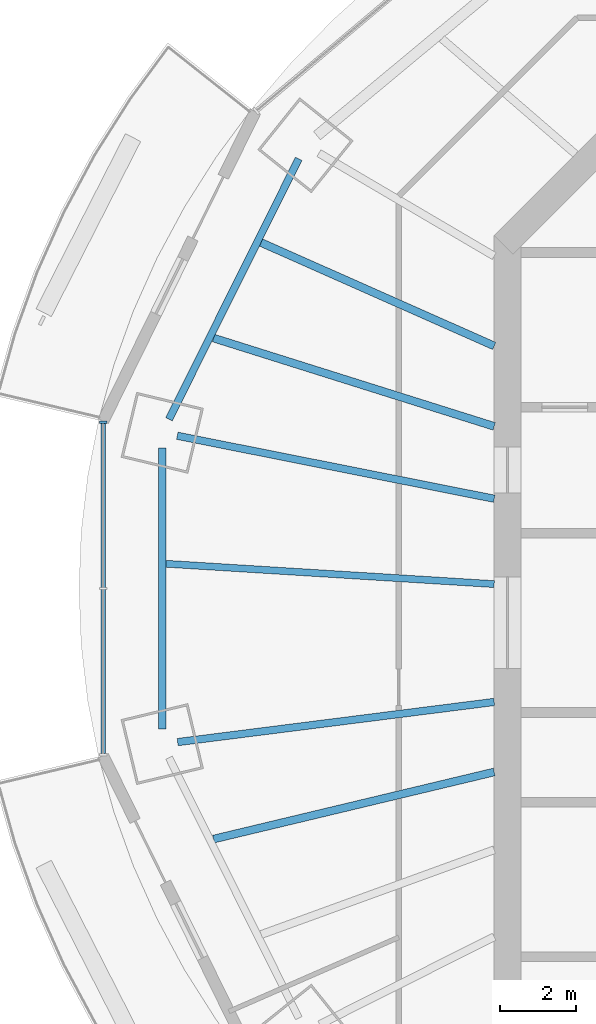
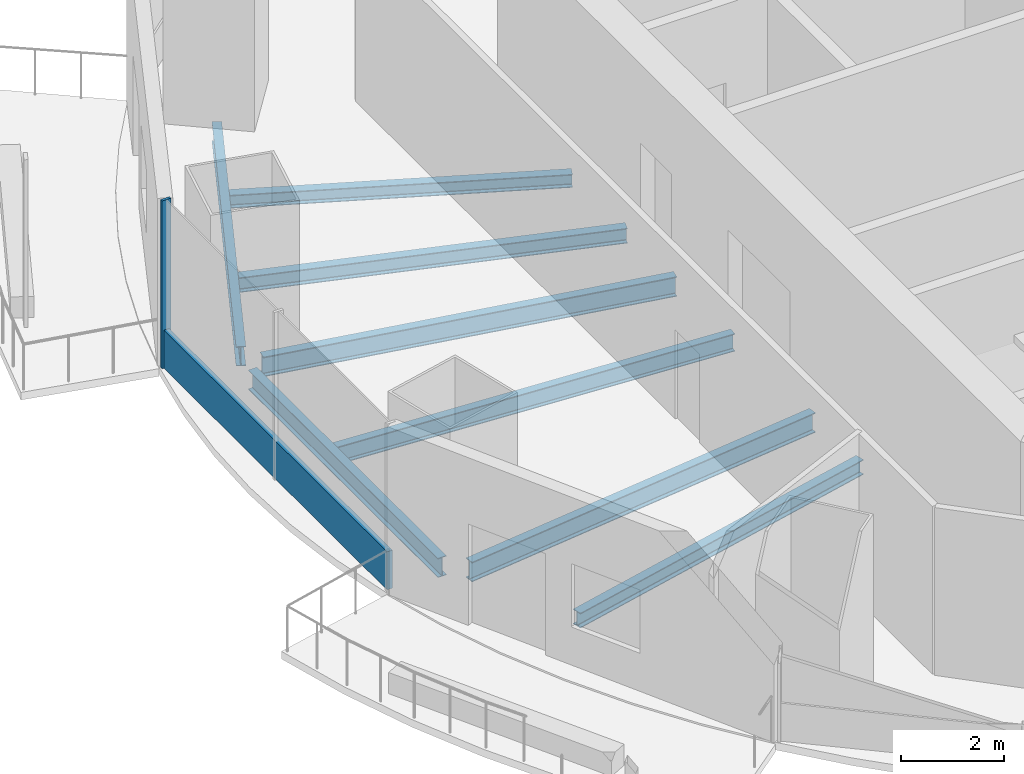
# One storey, part 3 of 16: 8 beams, 2 members, 1 element without a shape of its own.
"""IFC4 building model written with IfcOpenShell, lengths in metres."""

from ifc_helpers import new_model, si_unit, direction, frame, origin, origin_2d, place, context, subcontext, project, spatial, rectangle, i_section, extrude, material, material_profile, profile_set, type_object, element, aggregate, save


model = new_model("IFC4")

# Units and contexts
model_context = context("Model", 3, precision=1e-05, world=origin(), true_north=direction((0.0, 1.0)))
body_context = subcontext(model_context, "Body", "Model", "MODEL_VIEW")
ifc_project = project(units=[si_unit("LENGTHUNIT", "METRE"), si_unit("AREAUNIT", "SQUARE_METRE"), si_unit("VOLUMEUNIT", "CUBIC_METRE"), si_unit("PLANEANGLEUNIT", "RADIAN"), si_unit("MASSUNIT", "GRAM", prefix="KILO")], contexts=[model_context])

# Site, building, storey
site_placement = place(None, origin())
site = spatial("IfcSite", under=ifc_project, at=site_placement, CompositionType="ELEMENT")
building_placement = place(site_placement, origin())
building = spatial("IfcBuilding", under=site, at=building_placement, Name="Marenthal Gate Tower", CompositionType="ELEMENT")
storey_placement = place(building_placement, frame((0.0, 0.0, 346.75)))
storey = spatial("IfcBuildingStorey", under=building, at=storey_placement, Name="L78", CompositionType="ELEMENT", Elevation=346.75)

# Curtain wall, members
ifc_material_1 = material(Name="Aluminium and glass", Category="aluminium")
curtain_wall_type = type_object("IfcCurtainWallType", Name="Curtain wall typical high", PredefinedType="NOTDEFINED", material=ifc_material_1)
curtain_wall_placement = place(storey_placement, origin())
curtain_wall = element("IfcCurtainWall", 1, at=curtain_wall_placement, inside=storey, type_object=curtain_wall_type, Name="Curtain wall L78 bay 8", PredefinedType="NOTDEFINED")
ifc_material_2 = material(Name="Aluminium", Category="aluminium")
ifc_material_profile_1 = material_profile(ifc_material_2, rectangle(XDim=0.199951171875, YDim=0.06005859375, at=origin_2d()), Name="60x200 aluminium mullion")
ifc_profile_set_1 = profile_set([ifc_material_profile_1], Name="Aluminium")
member_type_1 = type_object("IfcMemberType", Name="Mullion 60x200 typical high", PredefinedType="MULLION", material=ifc_profile_set_1)
member_1_placement = place(storey_placement, frame((-26.59375, 5.2548828125, 0.0), z_axis=(0.0, 0.0, 1.0), x_axis=(1.0, 0.0, 0.0)))
member_1 = element("IfcMember", 2, at=member_1_placement, type_object=member_type_1, Name="Mullion L78 bay 8.1", PredefinedType="MULLION", context=body_context, shape_type="SweptSolid", body=[
    extrude(rectangle(XDim=0.199951171875, YDim=0.06005859375, at=origin_2d()), origin(), (0.0, 0.0, 1.0), 3.969970703125),
])
ifc_material_3 = material(Name="Aluminium", Category="aluminium")
ifc_material_profile_2 = material_profile(ifc_material_3, rectangle(XDim=0.1201171875, YDim=0.89990234375, at=origin_2d()), Name="120x900 aluminium transom")
ifc_profile_set_2 = profile_set([ifc_material_profile_2], Name="Aluminium")
member_type_2 = type_object("IfcMemberType", Name="Transom 120x900 typical high", PredefinedType="USERDEFINED", material=ifc_profile_set_2)
member_2_placement = place(storey_placement, frame((-26.59375, 5.224853515625, 0.449951171875), z_axis=(0.0, -1.0, 0.0), x_axis=(1.0, 0.0, 0.0)))
member_2 = element("IfcMember", 3, at=member_2_placement, type_object=member_type_2, Name="Transom L78 bay 8", ObjectType="TRANSOM", PredefinedType="USERDEFINED", context=body_context, shape_type="SweptSolid", body=[
    extrude(rectangle(XDim=0.1201171875, YDim=0.89990234375, at=origin_2d()), origin(), (0.0, 0.0, 1.0), 8.649658203125),
])
aggregate(curtain_wall, [member_1, member_2])

# Beams
ifc_material_4 = material(Name="Steel S355", Category="steel")
ifc_material_profile_3 = material_profile(ifc_material_4, i_section(OverallWidth=0.205078125, OverallDepth=0.31005859375, WebThickness=0.009521484375, FlangeThickness=0.016357421875, FilletRadius=0.0126953125, at=origin_2d()), Name="W310X74")
ifc_profile_set_3 = profile_set([ifc_material_profile_3], Name="Steel S355")
beam_type_1 = type_object("IfcBeamType", Name="W310X74 beam", PredefinedType="BEAM", material=ifc_profile_set_3)
beam_1_placement = place(storey_placement, frame((-22.45556640625, 9.959716796875, -0.3349609375), z_axis=(0.914118784564, -0.405446479462, 0.0), x_axis=(0.405446479462, 0.914118784564, 0.0)))
element("IfcBeam", 4, at=beam_1_placement, inside=storey, type_object=beam_type_1, Name="BM-L78-26", PredefinedType="BEAM", context=body_context, shape_type="SweptSolid", body=[
    extrude(i_section(OverallWidth=0.205078125, OverallDepth=0.31005859375, WebThickness=0.009521484375, FlangeThickness=0.016357421875, FilletRadius=0.0126953125, at=origin_2d()), origin(), (0.0, 0.0, 1.0), 6.678955078125),
])
ifc_material_5 = material(Name="Steel S355", Category="steel")
ifc_material_profile_4 = material_profile(ifc_material_5, i_section(OverallWidth=0.205078125, OverallDepth=0.35302734375, WebThickness=0.009521484375, FlangeThickness=0.016845703125, FilletRadius=0.014892578125, at=origin_2d()), Name="W360X79")
ifc_profile_set_4 = profile_set([ifc_material_profile_4], Name="Steel S355")
beam_type_2 = type_object("IfcBeamType", Name="W360X79 beam", PredefinedType="BEAM", material=ifc_profile_set_4)
beam_2_placement = place(storey_placement, frame((-23.701416015625, 7.45849609375, -0.3564453125), z_axis=(0.953879995414, -0.300188198218, 0.0), x_axis=(0.300188198218, 0.953879995414, 0.0)))
element("IfcBeam", 5, at=beam_2_placement, inside=storey, type_object=beam_type_2, Name="BM-L78-27", PredefinedType="BEAM", context=body_context, shape_type="SweptSolid", body=[
    extrude(i_section(OverallWidth=0.205078125, OverallDepth=0.35302734375, WebThickness=0.009521484375, FlangeThickness=0.016845703125, FilletRadius=0.014892578125, at=origin_2d()), origin(), (0.0, 0.0, 1.0), 7.706787109375),
])
beam_3_placement = place(storey_placement, frame((-23.6982421875, -5.664794921875, -0.3564453125), z_axis=(0.972596050115, 0.232501447956, 0.0), x_axis=(-0.232501447956, 0.972596050115, 0.0)))
element("IfcBeam", 6, at=beam_3_placement, inside=storey, type_object=beam_type_2, Name="BM-L78-29", PredefinedType="BEAM", context=body_context, shape_type="SweptSolid", body=[
    extrude(i_section(OverallWidth=0.205078125, OverallDepth=0.35302734375, WebThickness=0.009521484375, FlangeThickness=0.016845703125, FilletRadius=0.014892578125, at=origin_2d()), origin(), (0.0, 0.0, 1.0), 7.55517578125),
])
ifc_material_6 = material(Name="Steel S355", Category="steel")
ifc_material_profile_5 = material_profile(ifc_material_6, i_section(OverallWidth=0.180908203125, OverallDepth=0.4169921875, WebThickness=0.010986328125, FlangeThickness=0.018310546875, FilletRadius=0.01025390625, at=origin_2d()), Name="W410X85")
ifc_profile_set_5 = profile_set([ifc_material_profile_5], Name="Steel S355")
beam_type_3 = type_object("IfcBeamType", Name="W410X85 beam", PredefinedType="BEAM", material=ifc_profile_set_5)
beam_4_placement = place(storey_placement, frame((-24.94873046875, 1.54638671875, -0.388427734375), z_axis=(0.998084643441, -0.061863111205, 0.0), x_axis=(0.061863111205, 0.998084643441, 0.0)))
element("IfcBeam", 7, at=beam_4_placement, inside=storey, type_object=beam_type_3, Name="BM-L78-28", PredefinedType="BEAM", context=body_context, shape_type="SweptSolid", body=[
    extrude(i_section(OverallWidth=0.180908203125, OverallDepth=0.4169921875, WebThickness=0.010986328125, FlangeThickness=0.018310546875, FilletRadius=0.01025390625, at=origin_2d()), origin(), (0.0, 0.0, 1.0), 8.615234375),
])
ifc_material_7 = material(Name="Steel S355", Category="steel")
ifc_material_profile_6 = material_profile(ifc_material_7, i_section(OverallWidth=0.19091796875, OverallDepth=0.45703125, WebThickness=0.009033203125, FlangeThickness=0.014404296875, FilletRadius=0.01025390625, at=origin_2d()), Name="W460X74")
ifc_profile_set_6 = profile_set([ifc_material_profile_6], Name="Steel S355")
beam_type_4 = type_object("IfcBeamType", Name="W460X74 beam", PredefinedType="BEAM", material=ifc_profile_set_6)
beam_5_placement = place(storey_placement, frame((-21.46875, 12.155029296875, -0.408447265625), z_axis=(-0.445842036963, -0.895111656765, 0.0), x_axis=(0.895111656765, -0.445842036963, 0.0)))
element("IfcBeam", 8, at=beam_5_placement, inside=storey, type_object=beam_type_4, Name="BM-L78-46", PredefinedType="BEAM", context=body_context, shape_type="SweptSolid", body=[
    extrude(i_section(OverallWidth=0.19091796875, OverallDepth=0.45703125, WebThickness=0.009033203125, FlangeThickness=0.014404296875, FilletRadius=0.01025390625, at=origin_2d()), origin(), (0.0, 0.0, 1.0), 7.621337890625),
])
beam_6_placement = place(storey_placement, frame((-25.044189453125, 4.576904296875, -0.408447265625), z_axis=(0.0, -1.0, 0.0), x_axis=(1.0, 0.0, 0.0)))
element("IfcBeam", 9, at=beam_6_placement, inside=storey, type_object=beam_type_4, Name="BM-L78-47", PredefinedType="BEAM", context=body_context, shape_type="SweptSolid", body=[
    extrude(i_section(OverallWidth=0.19091796875, OverallDepth=0.45703125, WebThickness=0.009033203125, FlangeThickness=0.014404296875, FilletRadius=0.01025390625, at=origin_2d()), origin(), (0.0, 0.0, 1.0), 7.353759765625),
])
ifc_material_8 = material(Name="Steel S355", Category="steel")
ifc_material_profile_7 = material_profile(ifc_material_8, i_section(OverallWidth=0.193115234375, OverallDepth=0.467041015625, WebThickness=0.011474609375, FlangeThickness=0.01904296875, FilletRadius=0.010009765625, at=origin_2d()), Name="W460X97")
ifc_profile_set_7 = profile_set([ifc_material_profile_7], Name="Steel S355")
beam_type_5 = type_object("IfcBeamType", Name="W460X97 beam", PredefinedType="BEAM", material=ifc_profile_set_7)
beam_7_placement = place(storey_placement, frame((-24.651123046875, 4.8984375, -0.41357421875), z_axis=(0.98082510834, -0.194889986528, 0.0), x_axis=(0.194889986528, 0.98082510834, 0.0)))
element("IfcBeam", 10, at=beam_7_placement, inside=storey, type_object=beam_type_5, Name="BM-L78-08", PredefinedType="BEAM", context=body_context, shape_type="SweptSolid", body=[
    extrude(i_section(OverallWidth=0.193115234375, OverallDepth=0.467041015625, WebThickness=0.011474609375, FlangeThickness=0.01904296875, FilletRadius=0.010009765625, at=origin_2d()), origin(), (0.0, 0.0, 1.0), 8.46337890625),
])
beam_8_placement = place(storey_placement, frame((-24.64208984375, -3.12548828125, -0.41357421875), z_axis=(0.992051564732, 0.125832002734, 0.0), x_axis=(-0.125832002734, 0.992051564732, 0.0)))
element("IfcBeam", 11, at=beam_8_placement, inside=storey, type_object=beam_type_5, Name="BM-L78-09", PredefinedType="BEAM", context=body_context, shape_type="SweptSolid", body=[
    extrude(i_section(OverallWidth=0.193115234375, OverallDepth=0.467041015625, WebThickness=0.011474609375, FlangeThickness=0.01904296875, FilletRadius=0.010009765625, at=origin_2d()), origin(), (0.0, 0.0, 1.0), 8.3583984375),
])

save(model, "model.ifc")
